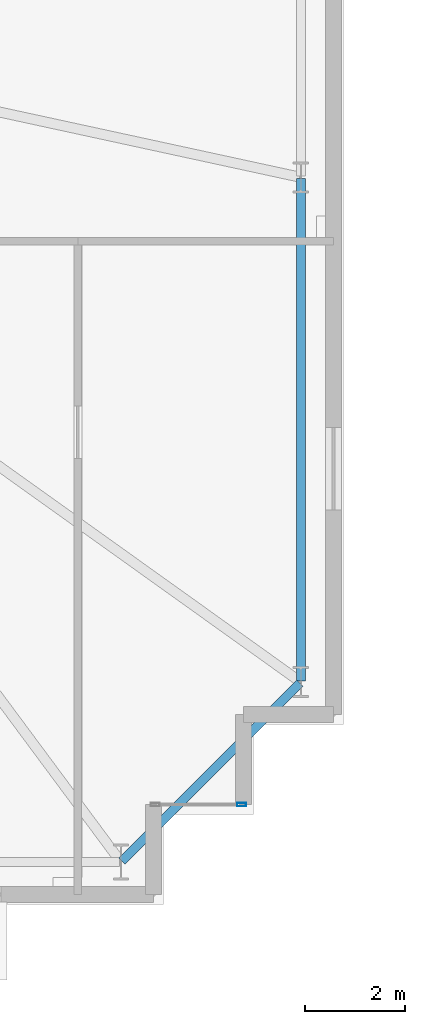
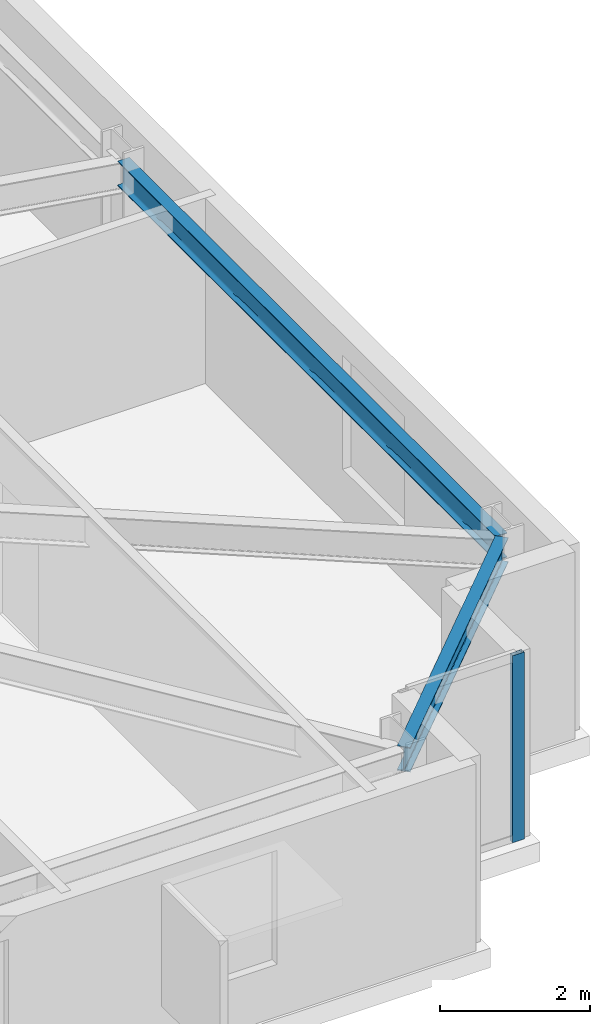
# One storey, part 10 of 21: 2 beams, 1 member, 1 element without a shape of its own.
"""IFC4 building model written with IfcOpenShell, lengths in metres."""

from ifc_helpers import new_model, si_unit, direction, frame, origin, origin_2d, place, context, subcontext, project, spatial, hollow_rectangle, i_section, extrude, material, layer, layer_set, material_profile, profile_set, type_object, element, aggregate, save


model = new_model("IFC4")

# Units and contexts
model_context = context("Model", 3, precision=1e-05, world=origin(), true_north=direction((0.0, 1.0)))
body_context = subcontext(model_context, "Body", "Model", "MODEL_VIEW")
ifc_project = project(units=[si_unit("LENGTHUNIT", "METRE"), si_unit("AREAUNIT", "SQUARE_METRE"), si_unit("VOLUMEUNIT", "CUBIC_METRE"), si_unit("PLANEANGLEUNIT", "RADIAN"), si_unit("MASSUNIT", "GRAM", prefix="KILO")], contexts=[model_context])

# Site, building, storey
site_placement = place(None, origin())
site = spatial("IfcSite", under=ifc_project, at=site_placement, CompositionType="ELEMENT")
building_placement = place(site_placement, origin())
building = spatial("IfcBuilding", under=site, at=building_placement, Name="Qobustan Lattice House", CompositionType="ELEMENT")
storey_placement = place(building_placement, frame((0.0, 0.0, 40.39990234375)))
storey = spatial("IfcBuildingStorey", under=building, at=storey_placement, Name="L10", CompositionType="ELEMENT", Elevation=40.39990234375)

# Beams
ifc_material_1 = material(Name="Steel S355", Category="steel")
ifc_material_profile_1 = material_profile(ifc_material_1, i_section(OverallWidth=0.179931640625, OverallDepth=0.39990234375, WebThickness=0.008544921875, FlangeThickness=0.013427734375, FilletRadius=0.02099609375, at=origin_2d()), Name="IPE400")
ifc_profile_set_1 = profile_set([ifc_material_profile_1], Name="Steel S355")
beam_type = type_object("IfcBeamType", Name="BM-SPD-IPE400", PredefinedType="SPANDREL", material=ifc_profile_set_1)
beam_1_placement = place(storey_placement, frame((28.567626953125, -18.732421875, 2.835205078125), z_axis=(0.707106781187, 0.707106781187, 0.0), x_axis=(-0.707106781187, 0.707106781187, 0.0)))
element("IfcBeam", 1, at=beam_1_placement, inside=storey, type_object=beam_type, Name="L10 perimeter spandrel S7-E1", PredefinedType="SPANDREL", context=body_context, shape_type="SweptSolid", body=[
    extrude(i_section(OverallWidth=0.179931640625, OverallDepth=0.39990234375, WebThickness=0.008544921875, FlangeThickness=0.013427734375, FilletRadius=0.02099609375, at=origin_2d()), origin(), (0.0, 0.0, 1.0), 5.041259765625),
])
beam_2_placement = place(storey_placement, frame((32.14990234375, -15.125, 2.835205078125), z_axis=(0.0, 1.0, 0.0), x_axis=(-1.0, 0.0, 0.0)))
element("IfcBeam", 2, at=beam_2_placement, inside=storey, type_object=beam_type, Name="L10 perimeter spandrel E1-E2", PredefinedType="SPANDREL", context=body_context, shape_type="SweptSolid", body=[
    extrude(i_section(OverallWidth=0.179931640625, OverallDepth=0.39990234375, WebThickness=0.008544921875, FlangeThickness=0.013427734375, FilletRadius=0.02099609375, at=origin_2d()), origin(), (0.0, 0.0, 1.0), 10.050048828125),
])

# Curtain wall, member
ifc_material_2 = material(Name="Anodised aluminium and low-E glazing", Category="aluminium")
ifc_layer = layer(ifc_material_2, 0.219970703125)
ifc_layer_set = layer_set([ifc_layer], Name="Anodised aluminium and low-E glazing")
curtain_wall_type = type_object("IfcCurtainWallType", Name="CW-FAC-01", PredefinedType="USERDEFINED", material=ifc_layer_set)
curtain_wall_placement = place(storey_placement, origin())
curtain_wall = element("IfcCurtainWall", 3, at=curtain_wall_placement, inside=storey, type_object=curtain_wall_type, Name="L10 serrated corner faceted glazing 18", ObjectType="CURTAIN WALL", PredefinedType="USERDEFINED")
ifc_material_3 = material(Name="Anodised aluminium EN AW-6063 T6", Category="aluminium")
ifc_material_profile_2 = material_profile(ifc_material_3, hollow_rectangle(XDim=0.070068359375, YDim=0.179931640625, WallThickness=0.00439453125, at=origin_2d()), Name="CWM-180x70")
ifc_profile_set_2 = profile_set([ifc_material_profile_2], Name="Anodised aluminium EN AW-6063 T6")
member_type = type_object("IfcMemberType", Name="CWM-STD-180", PredefinedType="MULLION", material=ifc_profile_set_2)
member_placement = place(storey_placement, frame((30.965087890625, -17.60009765625, 0.0), z_axis=(0.0, 0.0, 1.0), x_axis=(0.0, -1.0, 0.0)))
member = element("IfcMember", 4, at=member_placement, type_object=member_type, Name="CW-F1 mullion 1", PredefinedType="MULLION", context=body_context, shape_type="SweptSolid", body=[
    extrude(hollow_rectangle(XDim=0.070068359375, YDim=0.179931640625, WallThickness=0.00439453125, at=origin_2d()), origin(), (0.0, 0.0, 1.0), 3.03515625),
])
aggregate(curtain_wall, [member])

save(model, "model.ifc")
